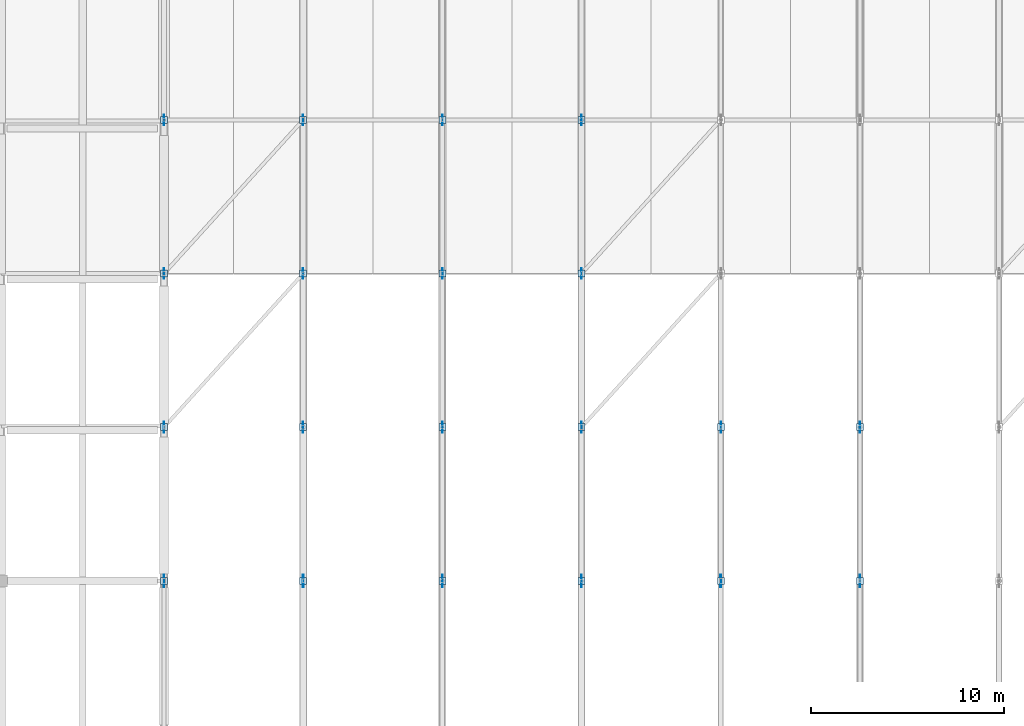
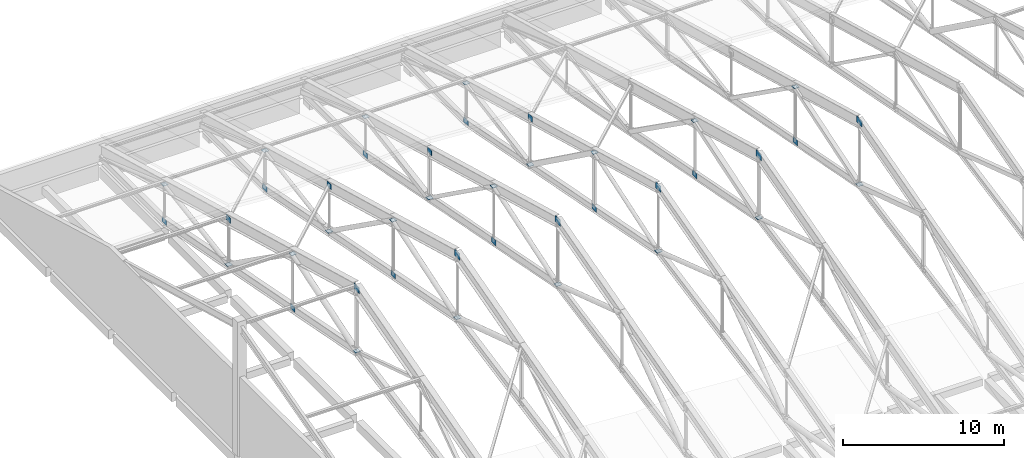
# One storey, part 45 of 53: 40 plates.
"""IFC4 building model written with IfcOpenShell, lengths in metres."""

from ifc_helpers import new_model, si_unit, direction, frame, origin, origin_2d, place, context, subcontext, project, spatial, rectangle, extrude, material, layer, layer_set, type_object, element, save


model = new_model("IFC4")

# Units and contexts
model_context = context("Model", 3, precision=1e-05, world=origin(), true_north=direction((0.0, 1.0)))
body_context = subcontext(model_context, "Body", "Model", "MODEL_VIEW")
ifc_project = project(units=[si_unit("LENGTHUNIT", "METRE"), si_unit("AREAUNIT", "SQUARE_METRE"), si_unit("VOLUMEUNIT", "CUBIC_METRE"), si_unit("PLANEANGLEUNIT", "RADIAN"), si_unit("MASSUNIT", "GRAM", prefix="KILO")], contexts=[model_context])

# Site, building, storey
site_placement = place(None, origin())
site = spatial("IfcSite", under=ifc_project, at=site_placement, CompositionType="ELEMENT")
building_placement = place(site_placement, origin())
building = spatial("IfcBuilding", under=site, at=building_placement, Name="Pellamere Symphony Hall", CompositionType="ELEMENT")
storey_placement = place(building_placement, frame((0.0, 0.0, 24.0)))
storey = spatial("IfcBuildingStorey", under=building, at=storey_placement, Name="L05", CompositionType="ELEMENT", Elevation=24.0)

# Plates
ifc_material = material(Name="Steel CSA G40.21 350W", Category="steel")
ifc_layer_1 = layer(ifc_material, 0.02197265625, Name="Steel CSA G40.21 350W")
ifc_layer_set_1 = layer_set([ifc_layer_1], Name="Steel CSA G40.21 350W")
plate_type_1 = type_object("IfcPlateType", Name="Steel Connection Plate KP-02 360x360x22", PredefinedType="SHEET", material=ifc_layer_set_1)
for number, where, z_axis, x_axis, name in (
    (1, (58.800048828125, 61.800048828125, 4.7890625), (0.0, 0.0, 1.0), (1.0, 0.0, 0.0), "Roof Truss Node End Cap Plate KN4 005"),
    (2, (58.800048828125, 69.75, 7.338134765625), (0.0, 0.0, 1.0), (1.0, 0.0, 0.0), "Roof Truss Node End Cap Plate KN5 006"),
    (3, (58.800048828125, 77.699951171875, 1.69580078125), (0.0, 0.0, 1.0), (1.0, 0.0, 0.0), "Roof Truss Node End Cap Plate KN1 007"),
    (4, (58.800048828125, 85.64990234375, 2.9580078125), (0.0, 0.0, 1.0), (1.0, 0.0, 0.0), "Roof Truss Node End Cap Plate KN2 008"),
    (5, (66.0, 61.800048828125, 4.7890625), (0.0, 0.0, 1.0), (1.0, 0.0, 0.0), "Roof Truss Node End Cap Plate KN4 023"),
    (6, (66.0, 69.75, 7.366455078125), (0.0, 0.0, 1.0), (1.0, 0.0, 0.0), "Roof Truss Node End Cap Plate KN5 024"),
    (7, (66.0, 77.699951171875, 1.69580078125), (0.0, 0.0, 1.0), (1.0, 0.0, 0.0), "Roof Truss Node End Cap Plate KN1 025"),
    (8, (66.0, 85.64990234375, 2.986572265625), (0.0, 0.0, 1.0), (1.0, 0.0, 0.0), "Roof Truss Node End Cap Plate KN2 026"),
    (9, (73.199951171875, 61.800048828125, 4.7890625), (0.0, 0.0, 1.0), (1.0, 0.0, 0.0), "Roof Truss Node End Cap Plate KN4 041"),
    (10, (73.199951171875, 69.75, 7.407470703125), (0.0, 0.0, 1.0), (1.0, 0.0, 0.0), "Roof Truss Node End Cap Plate KN5 042"),
    (11, (73.199951171875, 77.699951171875, 1.69580078125), (0.0, 0.0, 1.0), (1.0, 0.0, 0.0), "Roof Truss Node End Cap Plate KN1 043"),
    (12, (73.199951171875, 85.64990234375, 3.027587890625), (0.0, 0.0, 1.0), (1.0, 0.0, 0.0), "Roof Truss Node End Cap Plate KN2 044"),
    (13, (80.39990234375, 61.800048828125, 4.7890625), (0.0, 0.0, 1.0), (1.0, 0.0, 0.0), "Roof Truss Node End Cap Plate KN4 061"),
    (14, (80.39990234375, 69.75, 7.446533203125), (0.0, 0.0, 1.0), (1.0, 0.0, 0.0), "Roof Truss Node End Cap Plate KN5 062"),
    (15, (80.39990234375, 77.699951171875, 1.69580078125), (0.0, 0.0, 1.0), (1.0, 0.0, 0.0), "Roof Truss Node End Cap Plate KN1 063"),
    (16, (80.39990234375, 85.64990234375, 3.06640625), (0.0, 0.0, 1.0), (1.0, 0.0, 0.0), "Roof Truss Node End Cap Plate KN2 064"),
    (17, (87.60009765625, 61.800048828125, 4.7890625), (0.0, 0.0, 1.0), (1.0, 0.0, 0.0), "Roof Truss Node End Cap Plate KN4 081"),
    (18, (87.60009765625, 69.75, 7.33056640625), (0.0, 0.0, 1.0), (1.0, 0.0, 0.0), "Roof Truss Node End Cap Plate KN5 082"),
    (19, (94.800048828125, 61.800048828125, 4.7890625), (0.0, 0.0, 1.0), (1.0, 0.0, 0.0), "Roof Truss Node End Cap Plate KN4 099"),
    (20, (94.800048828125, 69.75, 7.368408203125), (0.0, 0.0, 1.0), (1.0, 0.0, 0.0), "Roof Truss Node End Cap Plate KN5 100"),
):
    element("IfcPlate", number, at=place(storey_placement, frame(where, z_axis=z_axis, x_axis=x_axis)), inside=storey, type_object=plate_type_1, Name=name, PredefinedType="SHEET", context=body_context, shape_type="SweptSolid", body=[
        extrude(rectangle(XDim=0.360107421875, YDim=0.360107421875, at=origin_2d()), origin(), (0.0, 0.0, 1.0), 0.02197265625),
    ])
ifc_layer_2 = layer(ifc_material, 0.028076171875, Name="Steel CSA G40.21 350W")
ifc_layer_set_2 = layer_set([ifc_layer_2], Name="Steel CSA G40.21 350W")
plate_type_2 = type_object("IfcPlateType", Name="Steel Connection Plate KP-03 650x480x28", PredefinedType="USERDEFINED", material=ifc_layer_set_2)
for number, where, z_axis, x_axis, name in (
    (21, (58.800048828125, 61.800048828125, 9.299072265625), (0.0, 0.0, 1.0), (1.0, 0.0, 0.0), "Roof Truss Upper Gusset Plate KN5 014"),
    (22, (66.0, 61.800048828125, 9.327392578125), (0.0, 0.0, 1.0), (1.0, 0.0, 0.0), "Roof Truss Upper Gusset Plate KN5 032"),
    (23, (73.199951171875, 61.800048828125, 9.368408203125), (0.0, 0.0, 1.0), (1.0, 0.0, 0.0), "Roof Truss Upper Gusset Plate KN5 051"),
    (24, (80.39990234375, 61.800048828125, 9.407470703125), (0.0, 0.0, 1.0), (1.0, 0.0, 0.0), "Roof Truss Upper Gusset Plate KN5 071"),
    (25, (87.60009765625, 61.800048828125, 9.29150390625), (0.0, 0.0, 1.0), (1.0, 0.0, 0.0), "Roof Truss Upper Gusset Plate KN5 090"),
    (26, (94.800048828125, 61.800048828125, 9.32958984375), (0.0, 0.0, 1.0), (1.0, 0.0, 0.0), "Roof Truss Upper Gusset Plate KN5 108"),
):
    element("IfcPlate", number, at=place(storey_placement, frame(where, z_axis=z_axis, x_axis=x_axis)), inside=storey, type_object=plate_type_2, Name=name, ObjectType="GUSSET PLATE", PredefinedType="USERDEFINED", context=body_context, shape_type="SweptSolid", body=[
        extrude(rectangle(XDim=0.028076171875, YDim=0.64990234375, at=origin_2d()), origin(), (0.0, 0.0, 1.0), 0.47998046875),
    ])
ifc_layer_3 = layer(ifc_material, 0.02392578125, Name="Steel CSA G40.21 350W")
ifc_layer_set_3 = layer_set([ifc_layer_3], Name="Steel CSA G40.21 350W")
plate_type_3 = type_object("IfcPlateType", Name="Steel Connection Plate KP-04 550x400x24", PredefinedType="USERDEFINED", material=ifc_layer_set_3)
for number, where, z_axis, x_axis, name in (
    (27, (58.800048828125, 69.75, 3.053466796875), (0.0, 0.0, 1.0), (1.0, 0.0, 0.0), "Roof Truss Lower Gusset Plate KN1 015"),
    (28, (58.800048828125, 77.699951171875, 4.958984375), (0.0, 0.0, 1.0), (1.0, 0.0, 0.0), "Roof Truss Upper Gusset Plate KN2 016"),
    (29, (58.800048828125, 85.64990234375, -0.0400390625), (0.0, 0.0, 1.0), (1.0, 0.0, 0.0), "Roof Truss Lower Gusset Plate KN3 017"),
    (30, (66.0, 69.75, 3.053466796875), (0.0, 0.0, 1.0), (1.0, 0.0, 0.0), "Roof Truss Lower Gusset Plate KN1 033"),
    (31, (66.0, 77.699951171875, 4.987548828125), (0.0, 0.0, 1.0), (1.0, 0.0, 0.0), "Roof Truss Upper Gusset Plate KN2 034"),
    (32, (66.0, 85.64990234375, -0.0400390625), (0.0, 0.0, 1.0), (1.0, 0.0, 0.0), "Roof Truss Lower Gusset Plate KN3 035"),
    (33, (73.199951171875, 69.75, 3.053466796875), (0.0, 0.0, 1.0), (1.0, 0.0, 0.0), "Roof Truss Lower Gusset Plate KN1 052"),
    (34, (73.199951171875, 77.699951171875, 5.028564453125), (0.0, 0.0, 1.0), (1.0, 0.0, 0.0), "Roof Truss Upper Gusset Plate KN2 053"),
    (35, (73.199951171875, 85.64990234375, -0.0400390625), (0.0, 0.0, 1.0), (1.0, 0.0, 0.0), "Roof Truss Lower Gusset Plate KN3 054"),
    (36, (80.39990234375, 69.75, 3.053466796875), (0.0, 0.0, 1.0), (1.0, 0.0, 0.0), "Roof Truss Lower Gusset Plate KN1 072"),
    (37, (80.39990234375, 77.699951171875, 5.067626953125), (0.0, 0.0, 1.0), (1.0, 0.0, 0.0), "Roof Truss Upper Gusset Plate KN2 073"),
    (38, (80.39990234375, 85.64990234375, -0.0400390625), (0.0, 0.0, 1.0), (1.0, 0.0, 0.0), "Roof Truss Lower Gusset Plate KN3 074"),
    (39, (87.60009765625, 69.75, 3.053466796875), (0.0, 0.0, 1.0), (1.0, 0.0, 0.0), "Roof Truss Lower Gusset Plate KN1 091"),
    (40, (94.800048828125, 69.75, 3.053466796875), (0.0, 0.0, 1.0), (1.0, 0.0, 0.0), "Roof Truss Lower Gusset Plate KN1 109"),
):
    element("IfcPlate", number, at=place(storey_placement, frame(where, z_axis=z_axis, x_axis=x_axis)), inside=storey, type_object=plate_type_3, Name=name, ObjectType="GUSSET PLATE", PredefinedType="USERDEFINED", context=body_context, shape_type="SweptSolid", body=[
        extrude(rectangle(XDim=0.02392578125, YDim=0.550048828125, at=origin_2d()), origin(), (0.0, 0.0, 1.0), 0.39990234375),
    ])

save(model, "model.ifc")
